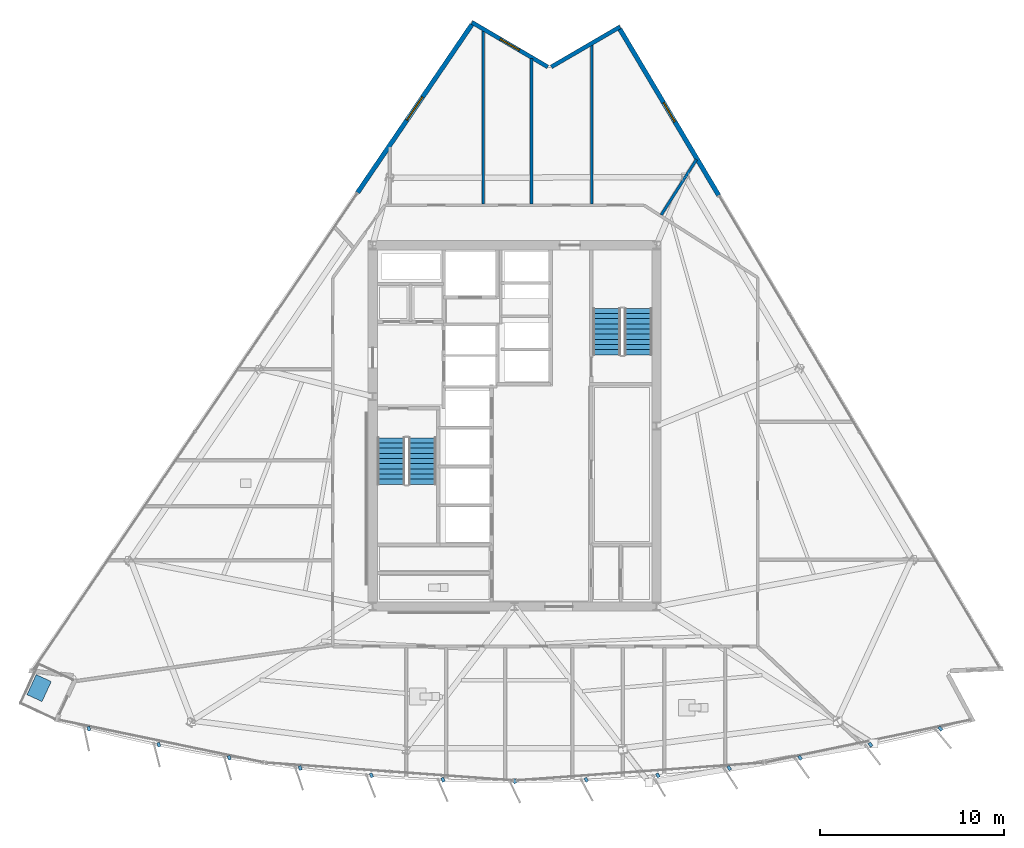
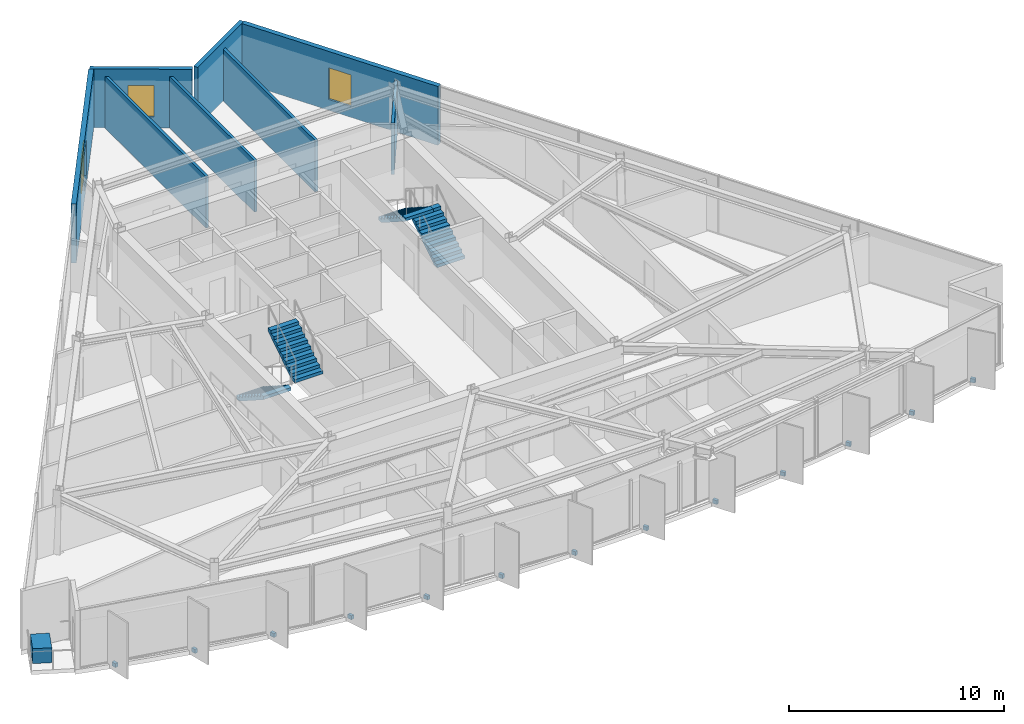
# One storey, part 10 of 15: 14 discrete accessories, 8 walls, 4 stair flights, 3 windows, 3 openings, 2 elements without a shape of their own.
"""IFC4 building model written with IfcOpenShell, lengths in metres."""

from ifc_helpers import new_model, si_unit, direction, frame, frame_2d, origin, origin_2d, place, context, subcontext, project, spatial, polyline, rectangle, outline, extrude, material, layer, layer_set, type_object, element, fill, aggregate, save


model = new_model("IFC4")

# Units and contexts
model_context = context("Model", 3, precision=1e-05, world=origin(), true_north=direction((0.0, 1.0)))
body_context = subcontext(model_context, "Body", "Model", "MODEL_VIEW")
ifc_project = project(units=[si_unit("LENGTHUNIT", "METRE"), si_unit("AREAUNIT", "SQUARE_METRE"), si_unit("VOLUMEUNIT", "CUBIC_METRE"), si_unit("PLANEANGLEUNIT", "RADIAN"), si_unit("MASSUNIT", "GRAM", prefix="KILO")], contexts=[model_context])

# Site, building, storey
site_placement = place(None, origin())
site = spatial("IfcSite", under=ifc_project, at=site_placement, CompositionType="ELEMENT")
building_placement = place(site_placement, origin())
building = spatial("IfcBuilding", under=site, at=building_placement, Name="Savorim Split Tower", CompositionType="ELEMENT")
storey_placement = place(building_placement, frame((0.0, 0.0, 167.39990234375)))
storey = spatial("IfcBuildingStorey", under=building, at=storey_placement, Name="L44", CompositionType="ELEMENT", Elevation=167.39990234375)

# Wall
ifc_material_1 = material(Name="Precast concrete C40/50", Category="concrete")
ifc_layer_1 = layer(ifc_material_1, 0.219970703125)
ifc_layer_set_1 = layer_set([ifc_layer_1], Name="WAL-EXT-CRN220")
wall_type_1 = type_object("IfcWallType", Name="WAL-EXT-CRN220", PredefinedType="SOLIDWALL", material=ifc_layer_set_1)
wall_1_placement = place(storey_placement, frame((1.987060546875, 19.867919921875, 0.0), z_axis=(0.0, 0.0, 1.0), x_axis=(0.863979520686, 0.503526948469, 0.0)))
element("IfcWall", 1, at=wall_1_placement, inside=storey, type_object=wall_type_1, Name="L44 Notched Corner Facade Wall NE1", PredefinedType="SOLIDWALL", context=body_context, shape_type="SweptSolid", body=[
    extrude(rectangle(XDim=4.323974609375, YDim=0.219970703125, at=frame_2d((2.162109375, 0.0))), origin(), (0.0, 0.0, 1.0), 3.35009765625),
])

# Wall, opening, window
wall_2_placement = place(storey_placement, frame((-2.32177734375, 22.288818359375, 0.0), z_axis=(0.0, 0.0, 1.0), x_axis=(0.862111523483, -0.506718581738, 0.0)))
wall_2 = element("IfcWall", 2, at=wall_2_placement, inside=storey, type_object=wall_type_1, Name="L44 Notched Corner Facade Wall N", PredefinedType="SOLIDWALL", context=body_context, shape_type="SweptSolid", body=[
    extrude(rectangle(XDim=4.777099609375, YDim=0.219970703125, at=frame_2d((2.388671875, 0.0))), origin(), (0.0, 0.0, 1.0), 3.35009765625),
])
opening_1_placement = place(wall_2_placement, frame((1.78857421875, 0.0, 0.6201171875)))
opening_1 = element("IfcOpeningElement", 3, at=opening_1_placement, cuts=wall_2, Name="Opening WN-08", PredefinedType="OPENING", context=body_context, shape_type="SweptSolid", body=[
    extrude(rectangle(XDim=1.199951171875, YDim=1.800048828125, at=frame_2d((0.60009765625, 0.89990234375))), frame((0.0, 0.119873046875, 0.0), z_axis=(0.0, -1.0, 0.0), x_axis=(1.0, 0.0, 0.0)), (0.0, 0.0, 1.0), 0.239990234375),
])
ifc_material_2 = material(Name="Low-E Operable Double Glazing", Category="glass")
window_type_1 = type_object("IfcWindowType", Name="WIN-TWR-1200x1800", PartitioningType="SINGLE_PANEL", PredefinedType="WINDOW", material=ifc_material_2)
window_1_placement = place(opening_1_placement, origin())
window_1 = element("IfcWindow", 4, at=window_1_placement, inside=storey, type_object=window_type_1, Name="L44 Operable Corner Window N", OverallHeight=1.800048828125, OverallWidth=1.199951171875, PartitioningType="SINGLE_PANEL", PredefinedType="WINDOW", context=body_context, shape_type="SweptSolid", body=[
    extrude(rectangle(XDim=1.199951171875, YDim=1.800048828125, at=frame_2d((0.60009765625, 0.89990234375))), frame((0.0, 0.030029296875, 0.0), z_axis=(0.0, -1.0, 0.0), x_axis=(1.0, 0.0, 0.0)), (0.0, 0.0, 1.0), 0.06005859375),
])
fill(opening_1, window_1)

ifc_layer_2 = layer(ifc_material_1, 0.25)
ifc_layer_set_2 = layer_set([ifc_layer_2], Name="WAL-EXT-SPN250")
wall_type_2 = type_object("IfcWallType", Name="WAL-EXT-SPN250", PredefinedType="SOLIDWALL", material=ifc_layer_set_2)
wall_3_placement = place(storey_placement, frame((5.706298828125, 21.918701171875, 0.0), z_axis=(0.0, 0.0, 1.0), x_axis=(0.511079110892, -0.859533677298, 0.0)))
wall_3 = element("IfcWall", 5, at=wall_3_placement, inside=storey, type_object=wall_type_2, Name="L44 East Operable Window Pier", PredefinedType="SOLIDWALL", context=body_context, shape_type="SweptSolid", body=[
    extrude(rectangle(XDim=10.4892578125, YDim=0.25, at=frame_2d((5.24462890625, 0.0))), origin(), (0.0, 0.0, 1.0), 3.35009765625),
])
opening_2_placement = place(wall_3_placement, frame((4.64453125, 0.0, 0.6201171875)))
opening_2 = element("IfcOpeningElement", 6, at=opening_2_placement, cuts=wall_3, Name="Opening WN-08", PredefinedType="OPENING", context=body_context, shape_type="SweptSolid", body=[
    extrude(rectangle(XDim=1.199951171875, YDim=1.800048828125, at=frame_2d((0.60009765625, 0.89990234375))), frame((0.0, 0.135009765625, 0.0), z_axis=(0.0, -1.0, 0.0), x_axis=(1.0, 0.0, 0.0)), (0.0, 0.0, 1.0), 0.27001953125),
])
window_2_placement = place(opening_2_placement, origin())
window_2 = element("IfcWindow", 7, at=window_2_placement, inside=storey, type_object=window_type_1, Name="L44 East Operable Ventilation Window", OverallHeight=1.800048828125, OverallWidth=1.199951171875, PartitioningType="SINGLE_PANEL", PredefinedType="WINDOW", context=body_context, shape_type="SweptSolid", body=[
    extrude(rectangle(XDim=1.199951171875, YDim=1.800048828125, at=frame_2d((0.60009765625, 0.89990234375))), frame((0.0, 0.030029296875, 0.0), z_axis=(0.0, -1.0, 0.0), x_axis=(1.0, 0.0, 0.0)), (0.0, 0.0, 1.0), 0.06005859375),
])
fill(opening_2, window_2)

wall_4_placement = place(storey_placement, frame((-8.51708984375, 13.053466796875, 0.0), z_axis=(0.0, 0.0, 1.0), x_axis=(0.562463961516, 0.826821801838, 0.0)))
wall_4 = element("IfcWall", 8, at=wall_4_placement, inside=storey, type_object=wall_type_2, Name="L44 West Operable Window Pier", PredefinedType="SOLIDWALL", context=body_context, shape_type="SweptSolid", body=[
    extrude(rectangle(XDim=11.017578125, YDim=0.25, at=frame_2d((5.5087890625, 0.0))), origin(), (0.0, 0.0, 1.0), 3.35009765625),
])
opening_3_placement = place(wall_4_placement, frame((4.7587890625, 0.0, 0.6201171875)))
opening_3 = element("IfcOpeningElement", 9, at=opening_3_placement, cuts=wall_4, Name="Opening WN-06", PredefinedType="OPENING", context=body_context, shape_type="SweptSolid", body=[
    extrude(rectangle(XDim=1.5, YDim=2.0, at=frame_2d((0.75, 1.0))), frame((0.0, 0.135009765625, 0.0), z_axis=(0.0, -1.0, 0.0), x_axis=(1.0, 0.0, 0.0)), (0.0, 0.0, 1.0), 0.27001953125),
])
window_type_2 = type_object("IfcWindowType", Name="WIN-TWR-1500x2000", PartitioningType="SINGLE_PANEL", PredefinedType="WINDOW", material=ifc_material_2)
window_3_placement = place(opening_3_placement, origin())
window_3 = element("IfcWindow", 10, at=window_3_placement, inside=storey, type_object=window_type_2, Name="L44 West Operable Ventilation Window", OverallHeight=2.0, OverallWidth=1.5, PartitioningType="SINGLE_PANEL", PredefinedType="WINDOW", context=body_context, shape_type="SweptSolid", body=[
    extrude(rectangle(XDim=1.5, YDim=2.0, at=frame_2d((0.75, 1.0))), frame((0.0, 0.030029296875, 0.0), z_axis=(0.0, -1.0, 0.0), x_axis=(1.0, 0.0, 0.0)), (0.0, 0.0, 1.0), 0.06005859375),
])
fill(opening_3, window_3)

# Walls
ifc_material_3 = material(Name="Acoustic Gypsum Partition Board")
ifc_layer_3 = layer(ifc_material_3, 0.14990234375)
ifc_layer_set_3 = layer_set([ifc_layer_3], Name="WAL-PAR-150")
wall_type_3 = type_object("IfcWallType", Name="WAL-PAR-150", PredefinedType="PARTITIONING", material=ifc_layer_set_3)
wall_5_placement = place(storey_placement, frame((7.95068359375, 11.84130859375, 0.0), z_axis=(0.0, 0.0, 1.0), x_axis=(0.536702086474, 0.843771811792, 0.0)))
element("IfcWall", 11, at=wall_5_placement, inside=storey, type_object=wall_type_3, Name="L44 Partition W-L44-PRAD07", PredefinedType="PARTITIONING", context=body_context, shape_type="SweptSolid", body=[
    extrude(rectangle(XDim=3.55322265625, YDim=0.14990234375, at=frame_2d((1.776611328125, 0.0))), origin(), (0.0, 0.0, 1.0), 2.93505859375),
])
wall_6_placement = place(storey_placement, frame((0.910400390625, 12.419921875, 0.0), z_axis=(0.0, 0.0, 1.0), x_axis=(0.0, 1.0, 0.0)))
element("IfcWall", 12, at=wall_6_placement, inside=storey, type_object=wall_type_3, Name="L44 Partition W-L44-SUB04", PredefinedType="PARTITIONING", context=body_context, shape_type="SweptSolid", body=[
    extrude(rectangle(XDim=7.9111328125, YDim=0.14990234375, at=frame_2d((3.95556640625, 0.0))), origin(), (0.0, 0.0, 1.0), 2.93505859375),
])
wall_7_placement = place(storey_placement, frame((4.178955078125, 12.419921875, 0.0), z_axis=(0.0, 0.0, 1.0), x_axis=(0.0, 1.0, 0.0)))
element("IfcWall", 13, at=wall_7_placement, inside=storey, type_object=wall_type_3, Name="L44 Partition W-L44-SUB12", PredefinedType="PARTITIONING", context=body_context, shape_type="SweptSolid", body=[
    extrude(rectangle(XDim=8.66748046875, YDim=0.14990234375, at=frame_2d((4.333740234375, 0.0))), origin(), (0.0, 0.0, 1.0), 2.93505859375),
])
wall_8_placement = place(storey_placement, frame((-1.696533203125, 12.419921875, 0.0), z_axis=(0.0, 0.0, 1.0), x_axis=(0.0, 1.0, 0.0)))
element("IfcWall", 14, at=wall_8_placement, inside=storey, type_object=wall_type_3, Name="L44 Partition W-L44-SUB13", PredefinedType="PARTITIONING", context=body_context, shape_type="SweptSolid", body=[
    extrude(rectangle(XDim=9.443359375, YDim=0.14990234375, at=frame_2d((4.7216796875, 0.0))), origin(), (0.0, 0.0, 1.0), 2.93505859375),
])

# Stair, stair flights
ifc_material_4 = material(Name="Concrete C50/60", Category="concrete")
stair_type = type_object("IfcStairType", Name="STR-DOG-3600", PredefinedType="HALF_TURN_STAIR", material=ifc_material_4)
stair_1_placement = place(storey_placement, origin())
stair_1 = element("IfcStair", 15, at=stair_1_placement, inside=storey, type_object=stair_type, Name="L44 Core Protected Exit Stair ST-1", PredefinedType="HALF_TURN_STAIR")
stair_flight_type = type_object("IfcStairFlightType", Name="SFL-DOG-3600", PredefinedType="STRAIGHT", material=ifc_material_4)
stair_flight_1_placement = place(storey_placement, frame((-6.699951171875, -0.25, 0.0), z_axis=(0.0, 0.0, 1.0), x_axis=(0.0, -1.0, 0.0)))
stair_flight_1 = element("IfcStairFlight", 16, at=stair_flight_1_placement, type_object=stair_flight_type, Name="ST-1 flight 1", NumberOfRisers=10, NumberOfTreads=9, PredefinedType="STRAIGHT", RiserHeight=0.18, TreadLength=0.28, context=body_context, shape_type="SweptSolid", body=[
    extrude(outline(polyline([(0.0, 0.0), (0.0, 0.179931640625), (0.280029296875, 0.179931640625), (0.280029296875, 0.360107421875), (0.56005859375, 0.360107421875), (0.56005859375, 0.5400390625), (0.840087890625, 0.5400390625), (0.840087890625, 0.719970703125), (1.1201171875, 0.719970703125), (1.1201171875, 0.89990234375), (1.39990234375, 0.89990234375), (1.39990234375, 1.080078125), (1.679931640625, 1.080078125), (1.679931640625, 1.260009765625), (1.9599609375, 1.260009765625), (1.9599609375, 1.43994140625), (2.239990234375, 1.43994140625), (2.239990234375, 1.6201171875), (2.52001953125, 1.6201171875), (2.52001953125, 1.800048828125), (2.52001953125, 1.44189453125), (0.277099609375, 0.0), (0.0, 0.0)])), frame((0.0, 0.75, 0.0), z_axis=(0.0, -1.0, 0.0), x_axis=(1.0, 0.0, 0.0)), (0.0, 0.0, 1.0), 1.5),
])
stair_flight_2_placement = place(storey_placement, frame((-5.0, -2.77001953125, 1.800048828125), z_axis=(0.0, 0.0, 1.0), x_axis=(0.0, 1.0, 0.0)))
stair_flight_2 = element("IfcStairFlight", 17, at=stair_flight_2_placement, type_object=stair_flight_type, Name="ST-1 flight 2", NumberOfRisers=10, NumberOfTreads=9, PredefinedType="STRAIGHT", RiserHeight=0.18, TreadLength=0.28, context=body_context, shape_type="SweptSolid", body=[
    extrude(outline(polyline([(0.0, 0.0), (0.0, 0.179931640625), (0.280029296875, 0.179931640625), (0.280029296875, 0.360107421875), (0.56005859375, 0.360107421875), (0.56005859375, 0.5400390625), (0.840087890625, 0.5400390625), (0.840087890625, 0.719970703125), (1.1201171875, 0.719970703125), (1.1201171875, 0.89990234375), (1.39990234375, 0.89990234375), (1.39990234375, 1.080078125), (1.679931640625, 1.080078125), (1.679931640625, 1.260009765625), (1.9599609375, 1.260009765625), (1.9599609375, 1.43994140625), (2.239990234375, 1.43994140625), (2.239990234375, 1.6201171875), (2.52001953125, 1.6201171875), (2.52001953125, 1.800048828125), (2.52001953125, 1.44189453125), (0.277099609375, 0.0), (0.0, 0.0)])), frame((0.0, 0.75, 0.0), z_axis=(0.0, -1.0, 0.0), x_axis=(1.0, 0.0, 0.0)), (0.0, 0.0, 1.0), 1.5),
])
aggregate(stair_1, [stair_flight_1, stair_flight_2])

stair_2_placement = place(storey_placement, origin())
stair_2 = element("IfcStair", 18, at=stair_2_placement, inside=storey, type_object=stair_type, Name="L44 Core Protected Exit Stair ST-2", PredefinedType="HALF_TURN_STAIR")
stair_flight_3_placement = place(storey_placement, frame((6.699951171875, 4.25, 0.0), z_axis=(0.0, 0.0, 1.0), x_axis=(0.0, 1.0, 0.0)))
stair_flight_3 = element("IfcStairFlight", 19, at=stair_flight_3_placement, type_object=stair_flight_type, Name="ST-2 flight 1", NumberOfRisers=10, NumberOfTreads=9, PredefinedType="STRAIGHT", RiserHeight=0.18, TreadLength=0.28, context=body_context, shape_type="SweptSolid", body=[
    extrude(outline(polyline([(0.0, 0.0), (0.0, 0.179931640625), (0.280029296875, 0.179931640625), (0.280029296875, 0.360107421875), (0.56005859375, 0.360107421875), (0.56005859375, 0.5400390625), (0.840087890625, 0.5400390625), (0.840087890625, 0.719970703125), (1.1201171875, 0.719970703125), (1.1201171875, 0.89990234375), (1.39990234375, 0.89990234375), (1.39990234375, 1.080078125), (1.679931640625, 1.080078125), (1.679931640625, 1.260009765625), (1.9599609375, 1.260009765625), (1.9599609375, 1.43994140625), (2.239990234375, 1.43994140625), (2.239990234375, 1.6201171875), (2.52001953125, 1.6201171875), (2.52001953125, 1.800048828125), (2.52001953125, 1.44189453125), (0.277099609375, 0.0), (0.0, 0.0)])), frame((0.0, 0.75, 0.0), z_axis=(0.0, -1.0, 0.0), x_axis=(1.0, 0.0, 0.0)), (0.0, 0.0, 1.0), 1.5),
])
stair_flight_4_placement = place(storey_placement, frame((5.0, 6.77001953125, 1.800048828125), z_axis=(0.0, 0.0, 1.0), x_axis=(0.0, -1.0, 0.0)))
stair_flight_4 = element("IfcStairFlight", 20, at=stair_flight_4_placement, type_object=stair_flight_type, Name="ST-2 flight 2", NumberOfRisers=10, NumberOfTreads=9, PredefinedType="STRAIGHT", RiserHeight=0.18, TreadLength=0.28, context=body_context, shape_type="SweptSolid", body=[
    extrude(outline(polyline([(0.0, 0.0), (0.0, 0.179931640625), (0.280029296875, 0.179931640625), (0.280029296875, 0.360107421875), (0.56005859375, 0.360107421875), (0.56005859375, 0.5400390625), (0.840087890625, 0.5400390625), (0.840087890625, 0.719970703125), (1.1201171875, 0.719970703125), (1.1201171875, 0.89990234375), (1.39990234375, 0.89990234375), (1.39990234375, 1.080078125), (1.679931640625, 1.080078125), (1.679931640625, 1.260009765625), (1.9599609375, 1.260009765625), (1.9599609375, 1.43994140625), (2.239990234375, 1.43994140625), (2.239990234375, 1.6201171875), (2.52001953125, 1.6201171875), (2.52001953125, 1.800048828125), (2.52001953125, 1.44189453125), (0.277099609375, 0.0), (0.0, 0.0)])), frame((0.0, 0.75, 0.0), z_axis=(0.0, -1.0, 0.0), x_axis=(1.0, 0.0, 0.0)), (0.0, 0.0, 1.0), 1.5),
])
aggregate(stair_2, [stair_flight_3, stair_flight_4])

# Discrete accessories
ifc_material_5 = material(Name="Steel S355", Category="steel")
discrete_accessory_type_1 = type_object("IfcDiscreteAccessoryType", Name="ACC-BRK-FIN", PredefinedType="BRACKET", material=ifc_material_5)
for number, where, z_axis, x_axis, name in (
    (21, (-23.090576171875, -16.022705078125, -0.18994140625), (0.0, 0.0, 1.0), (0.206721626106, -0.978399800337, 0.0), "L44 Fin Slab-Edge Cleat Bracket 01"),
    (22, (-19.301513671875, -16.89013671875, -0.18994140625), (0.0, 0.0, 1.0), (0.246581250663, -0.969122121727, 0.0), "L44 Fin Slab-Edge Cleat Bracket 02"),
    (23, (-15.47998046875, -17.60205078125, -0.18994140625), (0.0, 0.0, 1.0), (0.286026212504, -0.958221793616, 0.0), "L44 Fin Slab-Edge Cleat Bracket 03"),
    (24, (-11.6328125, -18.156982421875, -0.18994140625), (0.0, 0.0, 1.0), (0.324993810493, -0.945716143005, 0.0), "L44 Fin Slab-Edge Cleat Bracket 04"),
    (25, (-7.76611328125, -18.553955078125, -0.18994140625), (0.0, 0.0, 1.0), (0.363415461732, -0.931627179817, 0.0), "L44 Fin Slab-Edge Cleat Bracket 05"),
    (26, (-3.88623046875, -18.79248046875, -0.18994140625), (0.0, 0.0, 1.0), (0.401230091723, -0.915977299662, 0.0), "L44 Fin Slab-Edge Cleat Bracket 06"),
    (27, (0.0, -18.8720703125, -0.18994140625), (0.0, 0.0, 1.0), (0.438371146789, -0.898794046299, 0.0), "L44 Fin Slab-Edge Cleat Bracket 07"),
    (28, (3.88623046875, -18.79248046875, -0.18994140625), (0.0, 0.0, 1.0), (0.474778051978, -0.880105562623, 0.0), "L44 Fin Slab-Edge Cleat Bracket 08"),
    (29, (7.76611328125, -18.553955078125, -0.18994140625), (0.0, 0.0, 1.0), (0.510391336723, -0.859942255851, 0.0), "L44 Fin Slab-Edge Cleat Bracket 09"),
    (30, (11.6328125, -18.156982421875, -0.18994140625), (0.0, 0.0, 1.0), (0.545148321708, -0.838339613366, 0.0), "L44 Fin Slab-Edge Cleat Bracket 10"),
    (31, (15.47998046875, -17.60205078125, -0.18994140625), (0.0, 0.0, 1.0), (0.578993757737, -0.815331974414, 0.0), "L44 Fin Slab-Edge Cleat Bracket 11"),
    (32, (19.301513671875, -16.89013671875, -0.18994140625), (0.0, 0.0, 1.0), (0.611868076908, -0.790959832394, 0.0), "L44 Fin Slab-Edge Cleat Bracket 12"),
    (33, (23.090576171875, -16.022705078125, -0.18994140625), (0.0, 0.0, 1.0), (0.643719022682, -0.765261928909, 0.0), "L44 Fin Slab-Edge Cleat Bracket 13"),
):
    element("IfcDiscreteAccessory", number, at=place(storey_placement, frame(where, z_axis=z_axis, x_axis=x_axis)), inside=storey, type_object=discrete_accessory_type_1, Name=name, PredefinedType="BRACKET", context=body_context, shape_type="SweptSolid", body=[
        extrude(rectangle(XDim=0.239990234375, YDim=0.159912109375, at=origin_2d()), origin(), (0.0, 0.0, 1.0), 0.219970703125),
    ])
ifc_material_6 = material(Name="Architectural Precast Planter Concrete C40/50", Category="concrete")
discrete_accessory_type_2 = type_object("IfcDiscreteAccessoryType", Name="ACC-PLN-TREE", PredefinedType="USERDEFINED", material=ifc_material_6)
discrete_accessory_placement = place(storey_placement, frame((-25.789306640625, -13.822021484375, 0.0), z_axis=(0.0, 0.0, 1.0), x_axis=(-0.417495997822, -0.908678761611, 0.0)))
element("IfcDiscreteAccessory", 34, at=discrete_accessory_placement, inside=storey, type_object=discrete_accessory_type_2, Name="L44 Balcony Precast Tree Planter SW", ObjectType="PLANTER", PredefinedType="USERDEFINED", context=body_context, shape_type="SweptSolid", body=[
    extrude(rectangle(XDim=1.199951171875, YDim=0.89990234375, at=origin_2d()), origin(), (0.0, 0.0, 1.0), 0.85009765625),
])

save(model, "model.ifc")
